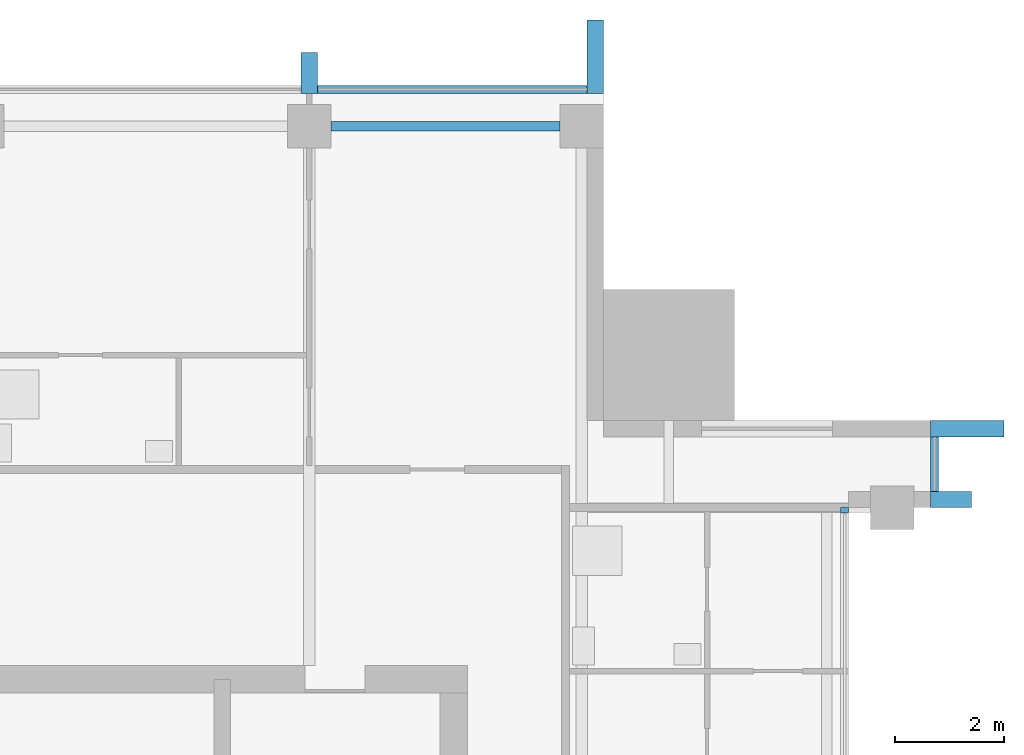
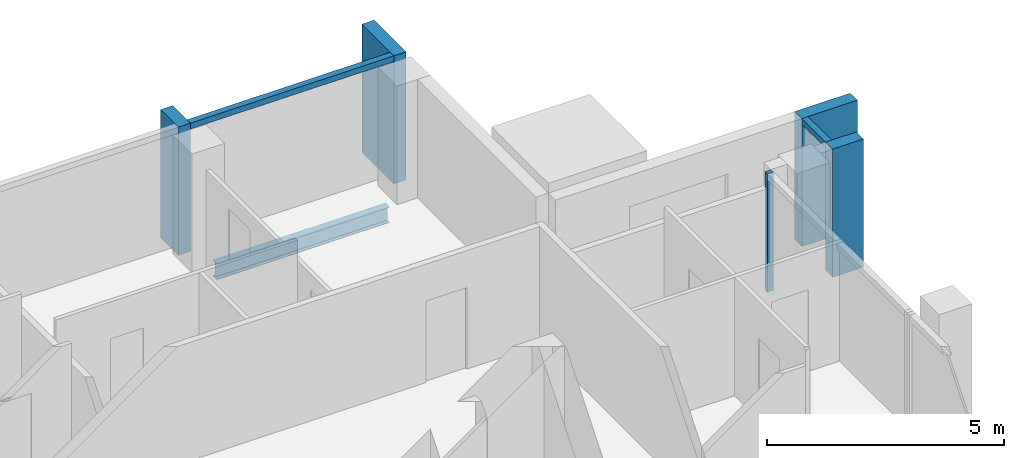
# One storey, part 5 of 13: 7 members, 1 beam, 3 elements without a shape of their own.
"""IFC4 building model written with IfcOpenShell, lengths in metres."""

import ifcopenshell
import ifcopenshell.guid

model = None  # the IFC model being written
_history = None  # IfcOwnerHistory: only IFC2X3 demands one
_inside = {}  # id of a spatial element -> (the spatial element, [elements in it])
_under = {}  # id of a project, library or spatial element -> (it, [spatial elements below it])
_declared = {}  # id of a project -> (the project, [libraries it declares])
_typed = {}  # id of a type object -> (the type object, [elements of that type])
_made_of = {}  # id of a material, layer set ... -> (it, [elements and type objects made of it])


def new_model(schema):
    """Start an empty IFC model of exactly this schema.

    Asked for "IFC4X3", IfcOpenShell would pick the latest addendum, in which some entities
    have other attributes; the version numbers below select the first issue.
    IFC2X3 requires an IfcOwnerHistory on every rooted entity: one is made here for all.
    """
    global model, _history
    if schema == "IFC4X3":
        model = ifcopenshell.file(schema_version=(4, 3, 0, 0))
    else:
        model = ifcopenshell.file(schema=schema)
    _inside.clear()
    _under.clear()
    _declared.clear()
    _typed.clear()
    _made_of.clear()
    _history = None
    if model.schema == "IFC2X3":
        org = make("IfcOrganization", Name="unknown")
        user = make(
            "IfcPersonAndOrganization",
            ThePerson=make("IfcPerson", FamilyName="unknown"),
            TheOrganization=org,
        )
        app = make(
            "IfcApplication",
            ApplicationDeveloper=org,
            Version="unknown",
            ApplicationFullName="unknown",
            ApplicationIdentifier="unknown",
        )
        _history = make(
            "IfcOwnerHistory",
            OwningUser=user,
            OwningApplication=app,
            ChangeAction="ADDED",
            CreationDate=0,
        )
    return model


def make(cls, **values):
    """One entity of the class cls with the attributes given. An attribute that is None is left unset."""
    return model.create_entity(
        cls, **{name: value for name, value in values.items() if value is not None}
    )


def rooted(cls, **values):
    """An entity with a GlobalId (a new one), such as an element, a storey or a relation."""
    return make(cls, GlobalId=ifcopenshell.guid.new(), OwnerHistory=_history, **values)


def si_unit(unit_type, name, prefix=None):
    """IfcSIUnit, for example si_unit("LENGTHUNIT", "METRE", prefix="MILLI")."""
    return make("IfcSIUnit", UnitType=unit_type, Prefix=prefix, Name=name)


def assignment(units):
    """IfcUnitAssignment: the units of a project."""
    return None if units is None else make("IfcUnitAssignment", Units=units)


def point(xyz):
    """IfcCartesianPoint."""
    return None if xyz is None else make("IfcCartesianPoint", Coordinates=xyz)


def direction(xyz):
    """IfcDirection."""
    return None if xyz is None else make("IfcDirection", DirectionRatios=xyz)


def frame(location, z_axis=None, x_axis=None):
    """IfcAxis2Placement3D, a coordinate frame: its origin and axes. An axis left out is left unset."""
    return make(
        "IfcAxis2Placement3D",
        Location=point(location),
        Axis=direction(z_axis),
        RefDirection=direction(x_axis),
    )


def frame_2d(location, x_axis=None):
    """IfcAxis2Placement2D, a coordinate frame in the plane: its origin and x axis."""
    return make(
        "IfcAxis2Placement2D", Location=point(location), RefDirection=direction(x_axis)
    )


def origin():
    """The frame at (0, 0, 0) with its axes left unset."""
    return frame((0.0, 0.0, 0.0))


def origin_2d():
    """The frame at (0, 0) in the plane with its x axis left unset."""
    return frame_2d((0.0, 0.0))


def place(relative_to, where):
    """IfcLocalPlacement: puts the frame where relative to a parent placement (None: the world)."""
    return make(
        "IfcLocalPlacement", PlacementRelTo=relative_to, RelativePlacement=where
    )


def context(
    kind, dimensions, precision=None, world=None, true_north=None, identifier=None
):
    """IfcGeometricRepresentationContext, for example the 3D "Model" context."""
    return make(
        "IfcGeometricRepresentationContext",
        ContextIdentifier=identifier,
        ContextType=kind,
        CoordinateSpaceDimension=dimensions,
        Precision=precision,
        WorldCoordinateSystem=world,
        TrueNorth=true_north,
    )


def subcontext(parent, identifier, kind, view, scale=None):
    """IfcGeometricRepresentationSubContext, for example "Body" below "Model"."""
    return make(
        "IfcGeometricRepresentationSubContext",
        ContextIdentifier=identifier,
        ContextType=kind,
        ParentContext=parent,
        TargetScale=scale,
        TargetView=view,
    )


def project(units=None, contexts=None):
    """IfcProject with its units and contexts."""
    return rooted(
        "IfcProject",
        Name="project",
        RepresentationContexts=contexts,
        UnitsInContext=assignment(units),
    )


def spatial(cls, under=None, at=None, **own):
    """A site, building, storey or space (cls), placed at a placement, below another one or the project."""
    s = rooted(cls, ObjectPlacement=at, **own)
    if under is not None:
        _under.setdefault(under.id(), (under, []))[1].append(s)
    return s


def profile(cls, at=None, kind="AREA", **sizes):
    """A parametric profile (cls). Its sizes go by their IFC names, for example OverallWidth=200.0."""
    return make(cls, ProfileType=kind, Position=at, **sizes)


def rectangle(**sizes):
    """IfcRectangleProfileDef."""
    return profile("IfcRectangleProfileDef", **sizes)


def i_section(**sizes):
    """IfcIShapeProfileDef."""
    return profile("IfcIShapeProfileDef", **sizes)


def extrude(swept, where, along, depth):
    """IfcExtrudedAreaSolid: the profile swept, set in the frame where, extruded along a direction by depth."""
    return make(
        "IfcExtrudedAreaSolid",
        SweptArea=swept,
        Position=where,
        ExtrudedDirection=direction(along),
        Depth=depth,
    )


def shape(context_of_items, identifier, shape_type, items):
    """IfcShapeRepresentation: the items that make up one representation, for example the "Body"."""
    return make(
        "IfcShapeRepresentation",
        ContextOfItems=context_of_items,
        RepresentationIdentifier=identifier,
        RepresentationType=shape_type,
        Items=items,
    )


def material(Name=None, Category=None):
    """IfcMaterial."""
    return make("IfcMaterial", Name=Name, Category=Category)


def material_profile(
    of_material, cross_section, Name=None, Category=None, Priority=None
):
    """IfcMaterialProfile: a cross section and its material."""
    return make(
        "IfcMaterialProfile",
        Name=Name,
        Material=of_material,
        Profile=cross_section,
        Priority=Priority,
        Category=Category,
    )


def profile_set(profiles, Name=None, composite=None):
    """IfcMaterialProfileSet."""
    return make(
        "IfcMaterialProfileSet",
        Name=Name,
        MaterialProfiles=profiles,
        CompositeProfile=composite,
    )


def made_of(thing, what):
    """Note that an element or type object is made of a material, layer set ...; save() writes the relation."""
    if what is not None:
        _made_of.setdefault(what.id(), (what, []))[1].append(thing)
    return thing


def type_object(cls, material=None, **own):
    """A type object (cls), such as IfcWallType, which elements share."""
    return made_of(rooted(cls, **own), material)


def element(
    cls,
    number,
    at=None,
    inside=None,
    cuts=None,
    type_object=None,
    material=None,
    context=None,
    identifier="Body",
    shape_type=None,
    held_by="IfcProductDefinitionShape",
    body=None,
    shapes=None,
    **own,
):
    """One element of the class cls, such as IfcWall. Its Tag is "e" and its number.

    at: its placement. inside: the storey or other place that contains it. cuts: it is an
    opening in that element (IfcRelVoidsElement). A single representation is given by context,
    identifier, shape_type and body (its items); several are given by shapes. held_by: the class
    of the entity that holds the representations. save() writes the other relations.
    """
    e = rooted(cls, Tag="e%d" % number, ObjectPlacement=at, **own)
    if body is not None:
        shapes = [shape(context, identifier, shape_type, body)]
    if shapes is not None:
        e.Representation = make(held_by, Representations=shapes)
    if inside is not None:
        _inside.setdefault(inside.id(), (inside, []))[1].append(e)
    if cuts is not None:
        rooted(
            "IfcRelVoidsElement", RelatingBuildingElement=cuts, RelatedOpeningElement=e
        )
    if type_object is not None:
        _typed.setdefault(type_object.id(), (type_object, []))[1].append(e)
    return made_of(e, material)


def aggregate(whole, parts):
    """IfcRelAggregates: a whole, such as a stair, and the parts it consists of."""
    return rooted("IfcRelAggregates", RelatingObject=whole, RelatedObjects=parts)


def save(model, path):
    """Write the relations noted so far, then the file.

    IfcRelAggregates (storeys below a building ...), IfcRelContainedInSpatialStructure (elements
    in a storey), IfcRelDefinesByType, IfcRelAssociatesMaterial and IfcRelDeclares: one each for
    every whole, place, type object, material and project.
    """
    for whole, parts in _under.values():
        aggregate(whole, parts)
    for where, things in _inside.values():
        rooted(
            "IfcRelContainedInSpatialStructure",
            RelatedElements=things,
            RelatingStructure=where,
        )
    for kind, things in _typed.values():
        rooted("IfcRelDefinesByType", RelatedObjects=things, RelatingType=kind)
    for what, things in _made_of.values():
        rooted("IfcRelAssociatesMaterial", RelatedObjects=things, RelatingMaterial=what)
    for by, libraries in _declared.values():
        rooted("IfcRelDeclares", RelatingContext=by, RelatedDefinitions=libraries)
    model.write(path)


model = new_model("IFC4")

# Units and contexts
model_context = context("Model", 3, precision=1e-05, world=origin(), true_north=direction((0.0, 1.0)))
body_context = subcontext(model_context, "Body", "Model", "MODEL_VIEW")
ifc_project = project(units=[si_unit("LENGTHUNIT", "METRE"), si_unit("AREAUNIT", "SQUARE_METRE"), si_unit("VOLUMEUNIT", "CUBIC_METRE"), si_unit("PLANEANGLEUNIT", "RADIAN"), si_unit("MASSUNIT", "GRAM", prefix="KILO")], contexts=[model_context])

# Site, building, storey
site_placement = place(None, origin())
site = spatial("IfcSite", under=ifc_project, at=site_placement, CompositionType="ELEMENT")
building_placement = place(site_placement, origin())
building = spatial("IfcBuilding", under=site, at=building_placement, Name="Amberfall Residences", CompositionType="ELEMENT")
storey_placement = place(building_placement, frame((0.0, 0.0, 271.89990234375)))
storey = spatial("IfcBuildingStorey", under=building, at=storey_placement, Name="L73", CompositionType="ELEMENT", Elevation=271.89990234375)

# Curtain wall, member
ifc_material_1 = material(Name="Bronze anodised aluminium and glass", Category="aluminium")
curtain_wall_type_1 = type_object("IfcCurtainWallType", Name="Curtain wall CW1 tower unit", PredefinedType="USERDEFINED", material=ifc_material_1)
curtain_wall_1_placement = place(storey_placement, origin())
curtain_wall_1 = element("IfcCurtainWall", 1, at=curtain_wall_1_placement, inside=storey, type_object=curtain_wall_type_1, Name="Curtain wall L73 E E7", ObjectType="UNITISED CURTAIN WALL", PredefinedType="USERDEFINED")
ifc_material_2 = material(Name="Bronze anodised aluminium", Category="aluminium")
ifc_material_profile_1 = material_profile(ifc_material_2, rectangle(XDim=0.14990234375, YDim=0.14990234375, at=origin_2d()), Name="CW1 transom 150 x 150 bronze")
ifc_profile_set_1 = profile_set([ifc_material_profile_1], Name="Bronze anodised aluminium")
member_type_1 = type_object("IfcMemberType", Name="CW1 transom 150 x 150 bronze", PredefinedType="USERDEFINED", material=ifc_profile_set_1)
member_1_placement = place(storey_placement, frame((95.074951171875, 60.699951171875, 2.97509765625), z_axis=(0.0, 1.0, 0.0), x_axis=(-1.0, 0.0, 0.0)))
member_1 = element("IfcMember", 2, at=member_1_placement, type_object=member_type_1, Name="CW1 transom 1.1", ObjectType="TRANSOM", PredefinedType="USERDEFINED", context=body_context, shape_type="SweptSolid", body=[
    extrude(rectangle(XDim=0.14990234375, YDim=0.14990234375, at=origin_2d()), origin(), (0.0, 0.0, 1.0), 1.0),
])

curtain_wall_2_placement = place(storey_placement, origin())
curtain_wall_2 = element("IfcCurtainWall", 3, at=curtain_wall_2_placement, inside=storey, type_object=curtain_wall_type_1, Name="Curtain wall L73 N N1", ObjectType="UNITISED CURTAIN WALL", PredefinedType="USERDEFINED")
member_2_placement = place(storey_placement, frame((88.699951171875, 68.074951171875, 2.97509765625), z_axis=(-1.0, 0.0, 0.0), x_axis=(0.0, -1.0, 0.0)))
member_2 = element("IfcMember", 4, at=member_2_placement, type_object=member_type_1, Name="CW1 transom 1.1", ObjectType="TRANSOM", PredefinedType="USERDEFINED", context=body_context, shape_type="SweptSolid", body=[
    extrude(rectangle(XDim=0.14990234375, YDim=0.14990234375, at=origin_2d()), origin(), (0.0, 0.0, 1.0), 4.949951171875),
])

curtain_wall_type_2 = type_object("IfcCurtainWallType", Name="Curtain wall CW3 sky garden glazing", PredefinedType="USERDEFINED", material=ifc_material_1)
curtain_wall_3_placement = place(storey_placement, origin())
curtain_wall_3 = element("IfcCurtainWall", 5, at=curtain_wall_3_placement, inside=storey, type_object=curtain_wall_type_2, Name="Curtain wall L73 E E5", ObjectType="UNITISED CURTAIN WALL", PredefinedType="USERDEFINED")
ifc_material_profile_2 = material_profile(ifc_material_2, rectangle(XDim=0.14990234375, YDim=0.10009765625, at=origin_2d()), Name="CW3 mullion 100 x 150 bronze")
ifc_profile_set_2 = profile_set([ifc_material_profile_2], Name="Bronze anodised aluminium")
member_type_2 = type_object("IfcMemberType", Name="CW3 mullion 100 x 150 bronze", PredefinedType="MULLION", material=ifc_profile_set_2)
member_3_placement = place(storey_placement, frame((93.425048828125, 60.35009765625, 0.0), z_axis=(0.0, 0.0, 1.0), x_axis=(-1.0, 0.0, 0.0)))
member_3 = element("IfcMember", 6, at=member_3_placement, type_object=member_type_2, Name="CW3 mullion 2", PredefinedType="MULLION", context=body_context, shape_type="SweptSolid", body=[
    extrude(rectangle(XDim=0.14990234375, YDim=0.10009765625, at=origin_2d()), origin(), (0.0, 0.0, 1.0), 3.050048828125),
])
aggregate(curtain_wall_3, [member_3])

# Member
ifc_material_profile_3 = material_profile(ifc_material_2, rectangle(XDim=1.35009765625, YDim=0.300048828125, at=origin_2d()), Name="Corner fin 300 x 1350 bronze")
ifc_profile_set_3 = profile_set([ifc_material_profile_3], Name="Bronze anodised aluminium")
member_type_3 = type_object("IfcMemberType", Name="Corner fin 300 x 1350 bronze", PredefinedType="MULLION", material=ifc_profile_set_3)
member_4_placement = place(storey_placement, frame((95.675048828125, 61.85009765625, -0.25), z_axis=(0.0, 0.0, 1.0), x_axis=(-1.0, 0.0, 0.0)))
member_4 = element("IfcMember", 7, at=member_4_placement, type_object=member_type_3, Name="CW FIN 2", PredefinedType="MULLION", context=body_context, shape_type="SweptSolid", body=[
    extrude(rectangle(XDim=1.35009765625, YDim=0.300048828125, at=origin_2d()), origin(), (0.0, 0.0, 1.0), 3.300048828125),
])

member_5_placement = place(storey_placement, frame((88.85009765625, 68.675048828125, -0.25), z_axis=(0.0, 0.0, 1.0), x_axis=(0.0, -1.0, 0.0)))
member_5 = element("IfcMember", 8, at=member_5_placement, type_object=member_type_3, Name="CW FIN 1", PredefinedType="MULLION", context=body_context, shape_type="SweptSolid", body=[
    extrude(rectangle(XDim=1.35009765625, YDim=0.300048828125, at=origin_2d()), origin(), (0.0, 0.0, 1.0), 3.300048828125),
])

# Beam
ifc_material_3 = material(Name="Steel S355", Category="steel")
ifc_material_profile_4 = material_profile(ifc_material_3, i_section(OverallWidth=0.177734375, OverallDepth=0.402587890625, WebThickness=0.0078125, FlangeThickness=0.010986328125, FilletRadius=0.01025390625, at=origin_2d()), Name="UB 406x178x54")
ifc_profile_set_4 = profile_set([ifc_material_profile_4], Name="Steel S355")
beam_type = type_object("IfcBeamType", Name="Edge beam UB 406x178x54", PredefinedType="SPANDREL", material=ifc_profile_set_4)
beam_placement = place(storey_placement, frame((84.0, 67.39990234375, -0.451171875), z_axis=(1.0, 0.0, 0.0), x_axis=(0.0, 1.0, 0.0)))
element("IfcBeam", 9, at=beam_placement, inside=storey, type_object=beam_type, Name="Edge beam B14 L73 27", PredefinedType="SPANDREL", context=body_context, shape_type="SweptSolid", body=[
    extrude(i_section(OverallWidth=0.177734375, OverallDepth=0.402587890625, WebThickness=0.0078125, FlangeThickness=0.010986328125, FilletRadius=0.01025390625, at=origin_2d()), origin(), (0.0, 0.0, 1.0), 4.199951171875),
])

# Member
ifc_material_profile_5 = material_profile(ifc_material_2, rectangle(XDim=0.75, YDim=0.300048828125, at=origin_2d()), Name="Fin 300 x 750 bronze")
ifc_profile_set_5 = profile_set([ifc_material_profile_5], Name="Bronze anodised aluminium")
member_type_4 = type_object("IfcMemberType", Name="Fin 300 x 750 bronze", PredefinedType="MULLION", material=ifc_profile_set_5)
member_6_placement = place(storey_placement, frame((95.375, 60.550048828125, -0.25), z_axis=(0.0, 0.0, 1.0), x_axis=(-1.0, 0.0, 0.0)))
member_6 = element("IfcMember", 10, at=member_6_placement, type_object=member_type_4, Name="CW FIN 1", PredefinedType="MULLION", context=body_context, shape_type="SweptSolid", body=[
    extrude(rectangle(XDim=0.75, YDim=0.300048828125, at=origin_2d()), origin(), (0.0, 0.0, 1.0), 3.300048828125),
])

aggregate(curtain_wall_1, [member_6, member_4, member_1])

member_7_placement = place(storey_placement, frame((83.60009765625, 68.375, -0.25), z_axis=(0.0, 0.0, 1.0), x_axis=(0.0, -1.0, 0.0)))
member_7 = element("IfcMember", 11, at=member_7_placement, type_object=member_type_4, Name="CW FIN 2", PredefinedType="MULLION", context=body_context, shape_type="SweptSolid", body=[
    extrude(rectangle(XDim=0.75, YDim=0.300048828125, at=origin_2d()), origin(), (0.0, 0.0, 1.0), 3.300048828125),
])

aggregate(curtain_wall_2, [member_5, member_7, member_2])

save(model, "model.ifc")
